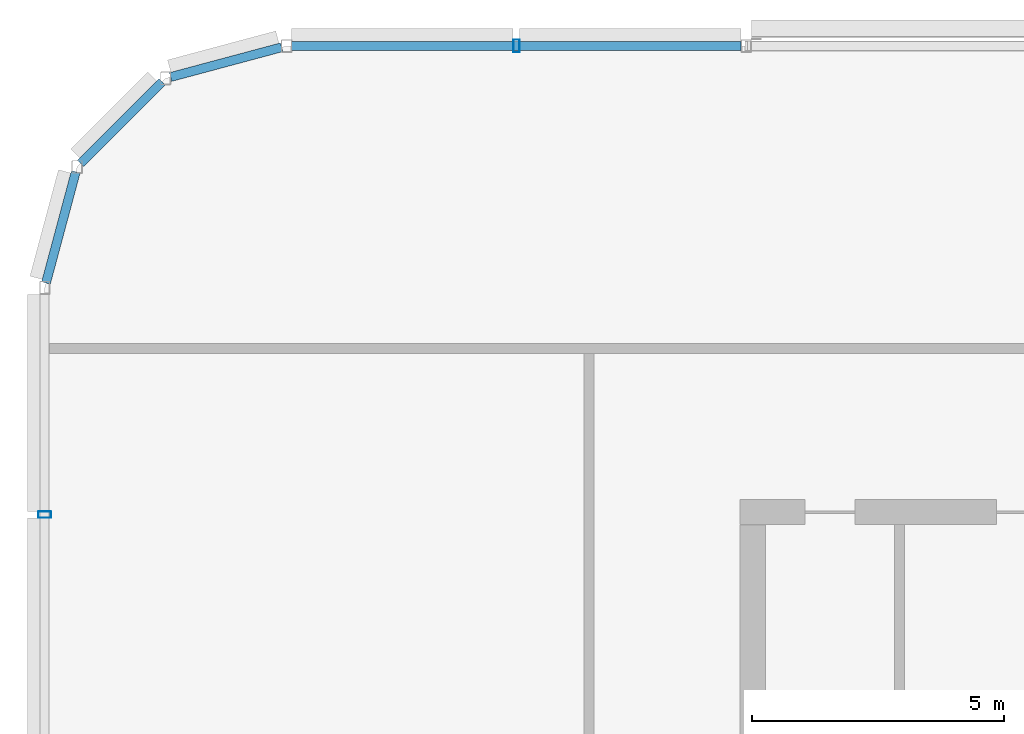
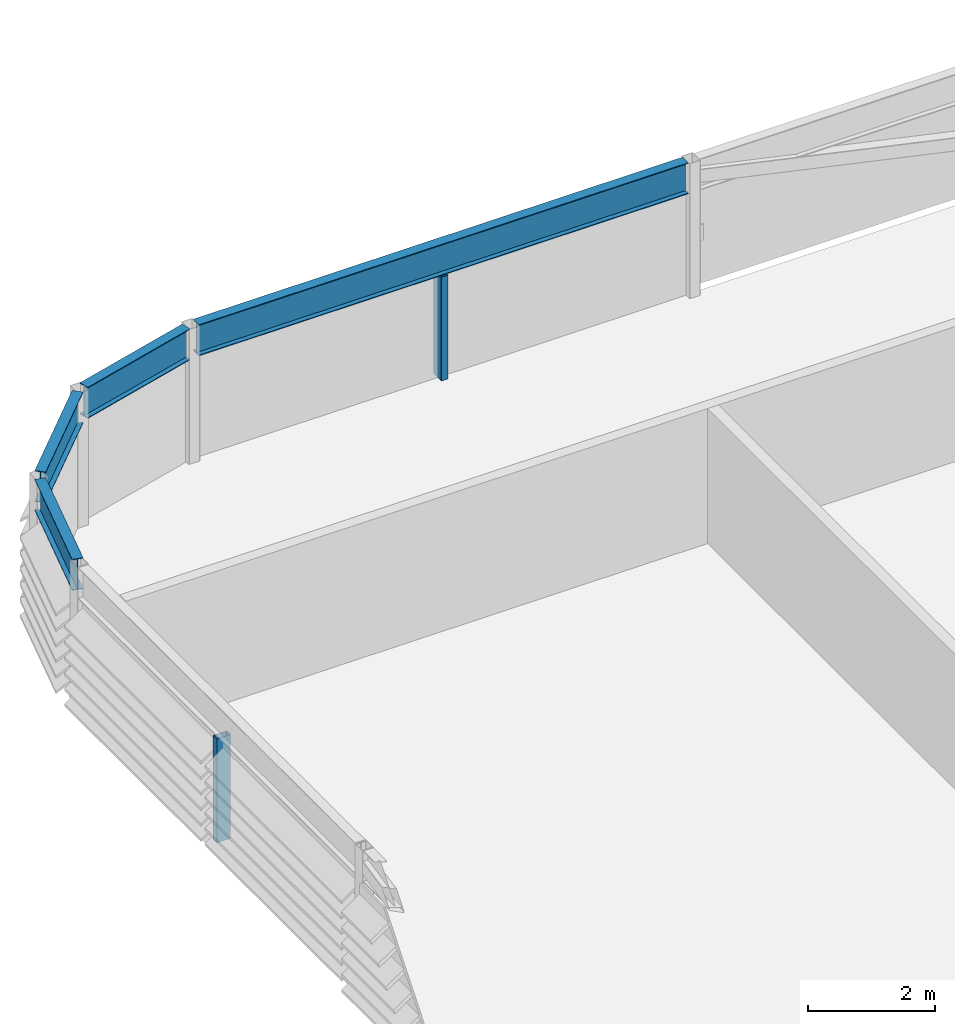
# One storey, part 11 of 27: 4 beams, 2 members.
"""IFC4 building model written with IfcOpenShell, lengths in metres."""

from ifc_helpers import new_model, si_unit, direction, frame, origin, origin_2d, place, context, subcontext, project, spatial, hollow_rectangle, i_section, extrude, material, material_profile, profile_set, type_object, element, save


model = new_model("IFC4")

# Units and contexts
model_context = context("Model", 3, precision=1e-05, world=origin(), true_north=direction((0.0, 1.0)))
body_context = subcontext(model_context, "Body", "Model", "MODEL_VIEW")
ifc_project = project(units=[si_unit("LENGTHUNIT", "METRE"), si_unit("AREAUNIT", "SQUARE_METRE"), si_unit("VOLUMEUNIT", "CUBIC_METRE"), si_unit("PLANEANGLEUNIT", "RADIAN"), si_unit("MASSUNIT", "GRAM", prefix="KILO")], contexts=[model_context])

# Site, building, storey
site_placement = place(None, origin())
site = spatial("IfcSite", under=ifc_project, at=site_placement, CompositionType="ELEMENT")
building_placement = place(site_placement, origin())
building = spatial("IfcBuilding", under=site, at=building_placement, Name="Madar Terraces", CompositionType="ELEMENT")
storey_placement = place(building_placement, frame((0.0, 0.0, 314.300048828125)))
storey = spatial("IfcBuildingStorey", under=building, at=storey_placement, Name="L81", CompositionType="ELEMENT", Elevation=314.300048828125)

# Beams
ifc_material_1 = material(Name="Steel ASTM A992 Grade 50", Category="steel")
ifc_material_profile_1 = material_profile(ifc_material_1, i_section(OverallWidth=0.1787109375, OverallDepth=0.60205078125, WebThickness=0.010986328125, FlangeThickness=0.014892578125, at=origin_2d()), Name="W24x62")
ifc_profile_set_1 = profile_set([ifc_material_profile_1], Name="Steel ASTM A992 Grade 50")
beam_type = type_object("IfcBeamType", Name="CF2 W24x62", PredefinedType="BEAM", material=ifc_profile_set_1)
beam_1_placement = place(storey_placement, frame((15.018310546875, 46.800048828125, 2.299072265625), z_axis=(-1.0, 0.0, 0.0), x_axis=(0.0, -1.0, 0.0)))
element("IfcBeam", 1, at=beam_1_placement, inside=storey, type_object=beam_type, Name="Crown frame ring beam CF2", PredefinedType="BEAM", context=body_context, shape_type="SweptSolid", body=[
    extrude(i_section(OverallWidth=0.1787109375, OverallDepth=0.60205078125, WebThickness=0.010986328125, FlangeThickness=0.014892578125, at=origin_2d()), origin(), (0.0, 0.0, 1.0), 8.916748046875),
])
beam_2_placement = place(storey_placement, frame((5.90185546875, 46.773681640625, 2.299072265625), z_axis=(-0.965912700012, -0.258868028067, 0.0), x_axis=(0.258868028067, -0.965912700012, 0.0)))
element("IfcBeam", 2, at=beam_2_placement, inside=storey, type_object=beam_type, Name="Crown frame ring beam CF2", PredefinedType="BEAM", context=body_context, shape_type="SweptSolid", body=[
    extrude(i_section(OverallWidth=0.1787109375, OverallDepth=0.60205078125, WebThickness=0.010986328125, FlangeThickness=0.014892578125, at=origin_2d()), origin(), (0.0, 0.0, 1.0), 2.281494140625),
])
beam_3_placement = place(storey_placement, frame((3.528076171875, 46.0849609375, 2.299072265625), z_axis=(-0.707106781187, -0.707106781187, 0.0), x_axis=(0.707106781187, -0.707106781187, 0.0)))
element("IfcBeam", 3, at=beam_3_placement, inside=storey, type_object=beam_type, Name="Crown frame ring beam CF2", PredefinedType="BEAM", context=body_context, shape_type="SweptSolid", body=[
    extrude(i_section(OverallWidth=0.1787109375, OverallDepth=0.60205078125, WebThickness=0.010986328125, FlangeThickness=0.014892578125, at=origin_2d()), origin(), (0.0, 0.0, 1.0), 2.28125),
])
beam_4_placement = place(storey_placement, frame((1.81689453125, 44.3017578125, 2.299072265625), z_axis=(-0.258868028067, -0.965912700012, 0.0), x_axis=(0.965912700012, -0.258868028067, 0.0)))
element("IfcBeam", 4, at=beam_4_placement, inside=storey, type_object=beam_type, Name="Crown frame ring beam CF2", PredefinedType="BEAM", context=body_context, shape_type="SweptSolid", body=[
    extrude(i_section(OverallWidth=0.1787109375, OverallDepth=0.60205078125, WebThickness=0.010986328125, FlangeThickness=0.014892578125, at=origin_2d()), origin(), (0.0, 0.0, 1.0), 2.281494140625),
])

# Members
ifc_material_2 = material(Name="Steel ASTM A500 Grade C", Category="steel")
ifc_material_profile_2 = material_profile(ifc_material_2, hollow_rectangle(XDim=0.126953125, YDim=0.25390625, WallThickness=0.00634765625, InnerFilletRadius=0.0029296875, OuterFilletRadius=0.0087890625, at=origin_2d()), Name="HSS10x5x.25")
ifc_profile_set_2 = profile_set([ifc_material_profile_2], Name="Steel ASTM A500 Grade C")
member_type = type_object("IfcMemberType", Name="LS2 HSS10x5x.25", PredefinedType="POST", material=ifc_profile_set_2)
for number, where, z_axis, x_axis, name in (
    (5, (10.56005859375, 46.800048828125, 0.0), (0.0, 0.0, 1.0), (-1.0, 0.0, 0.0), "Crown louvre post LS2"),
    (6, (1.199951171875, 37.5, 0.0), (0.0, 0.0, 1.0), (0.0, -1.0, 0.0), "Crown louvre post LS2"),
):
    element("IfcMember", number, at=place(storey_placement, frame(where, z_axis=z_axis, x_axis=x_axis)), inside=storey, type_object=member_type, Name=name, PredefinedType="POST", context=body_context, shape_type="SweptSolid", body=[
        extrude(hollow_rectangle(XDim=0.126953125, YDim=0.25390625, WallThickness=0.00634765625, InnerFilletRadius=0.0029296875, OuterFilletRadius=0.0087890625, at=origin_2d()), origin(), (0.0, 0.0, 1.0), 1.998046875),
    ])

save(model, "model.ifc")
